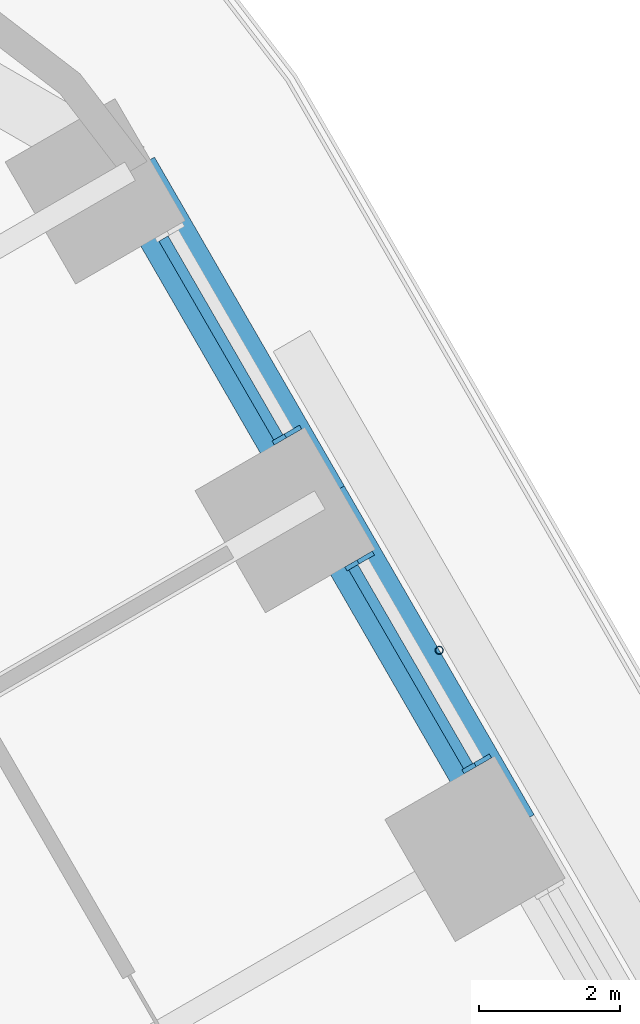
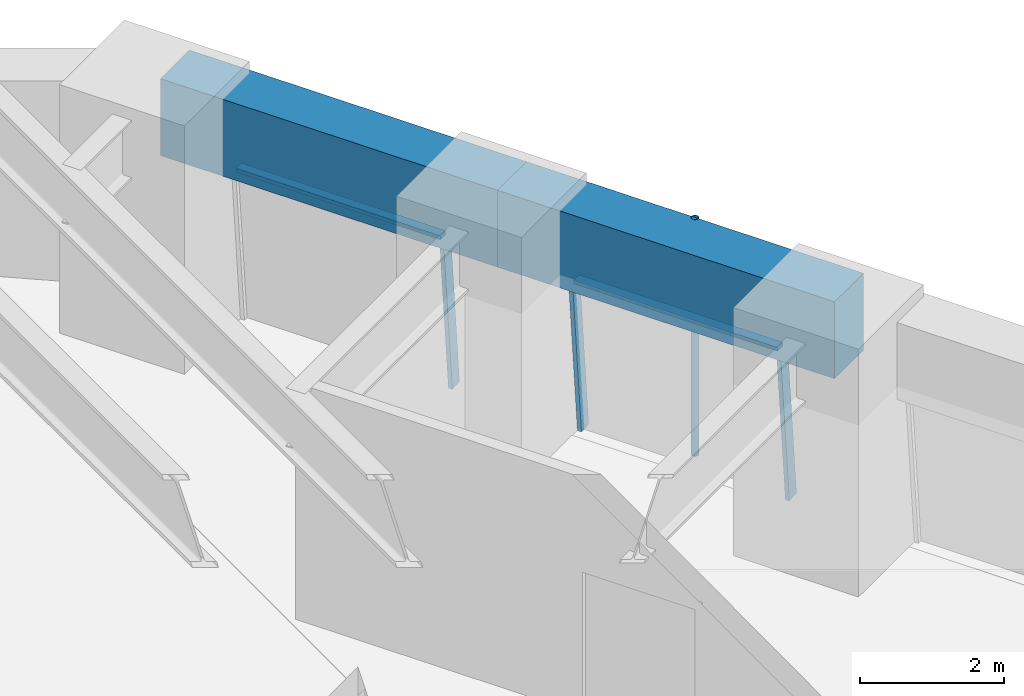
# One storey, part 11 of 23: 6 members, 2 beams, 2 elements without a shape of their own.
"""IFC4 building model written with IfcOpenShell, lengths in metres."""

from ifc_helpers import new_model, si_unit, direction, frame, origin, origin_2d, place, context, subcontext, project, spatial, rectangle, hollow_circle, extrude, material, material_profile, profile_set, type_object, element, aggregate, save


model = new_model("IFC4")

# Units and contexts
model_context = context("Model", 3, precision=1e-05, world=origin(), true_north=direction((0.0, 1.0)))
body_context = subcontext(model_context, "Body", "Model", "MODEL_VIEW")
ifc_project = project(units=[si_unit("LENGTHUNIT", "METRE"), si_unit("AREAUNIT", "SQUARE_METRE"), si_unit("VOLUMEUNIT", "CUBIC_METRE"), si_unit("PLANEANGLEUNIT", "RADIAN"), si_unit("MASSUNIT", "GRAM", prefix="KILO")], contexts=[model_context])

# Site, building, storey
site_placement = place(None, origin())
site = spatial("IfcSite", under=ifc_project, at=site_placement, CompositionType="ELEMENT")
building_placement = place(site_placement, origin())
building = spatial("IfcBuilding", under=site, at=building_placement, Name="Tarfa Lantern Tower", CompositionType="ELEMENT")
storey_placement = place(building_placement, frame((0.0, 0.0, 52.89990234375)))
storey = spatial("IfcBuildingStorey", under=building, at=storey_placement, Name="L11", CompositionType="ELEMENT", Elevation=52.89990234375)

# Curtain wall, members
ifc_material_1 = material(Name="Aluminium framed curtain wall", Category="aluminium")
curtain_wall_type = type_object("IfcCurtainWallType", Name="CW1 CANTED GLAZING LOW ZONE 2700", PredefinedType="USERDEFINED", material=ifc_material_1)
curtain_wall_1_placement = place(storey_placement, origin())
curtain_wall_1 = element("IfcCurtainWall", 1, at=curtain_wall_1_placement, inside=storey, type_object=curtain_wall_type, Name="CW1 NE L11", ObjectType="CURTAIN WALL", PredefinedType="USERDEFINED")
ifc_material_2 = material(Name="Aluminium mullion", Category="aluminium")
ifc_material_profile_1 = material_profile(ifc_material_2, rectangle(XDim=0.06494140625, YDim=0.199951171875, at=origin_2d()), Name="AL MULLION 65x200")
ifc_profile_set_1 = profile_set([ifc_material_profile_1], Name="Aluminium mullion")
member_type_1 = type_object("IfcMemberType", Name="CWM1 MULLION 65x200", PredefinedType="MULLION", material=ifc_profile_set_1)
member_1_placement = place(storey_placement, frame((26.147705078125, 22.5107421875, 0.0), z_axis=(-0.079857261722, -0.046095736191, 0.995739926314), x_axis=(0.499919672301, -0.866071776036, 0.0)))
member_1 = element("IfcMember", 2, at=member_1_placement, type_object=member_type_1, Name="CW1 mullion 1", PredefinedType="MULLION", context=body_context, shape_type="SweptSolid", body=[
    extrude(rectangle(XDim=0.06494140625, YDim=0.199951171875, at=origin_2d()), origin(), (0.0, 0.0, 1.0), 2.711669921875),
])
member_2_placement = place(storey_placement, frame((24.48583984375, 25.38916015625, 0.0), z_axis=(-0.079857261722, -0.046095736191, 0.995739926314), x_axis=(0.499919672301, -0.866071776036, 0.0)))
member_2 = element("IfcMember", 3, at=member_2_placement, type_object=member_type_1, Name="CW1 mullion 2", PredefinedType="MULLION", context=body_context, shape_type="SweptSolid", body=[
    extrude(rectangle(XDim=0.06494140625, YDim=0.199951171875, at=origin_2d()), origin(), (0.0, 0.0, 1.0), 2.711669921875),
])

# Curtain wall, member
curtain_wall_2_placement = place(storey_placement, origin())
curtain_wall_2 = element("IfcCurtainWall", 4, at=curtain_wall_2_placement, inside=storey, type_object=curtain_wall_type, Name="CW1 NE L11", ObjectType="CURTAIN WALL", PredefinedType="USERDEFINED")
member_3_placement = place(storey_placement, frame((23.453369140625, 27.177490234375, 0.0), z_axis=(-0.079857261722, -0.046095736191, 0.995739926314), x_axis=(0.499919672301, -0.866071776036, 0.0)))
member_3 = element("IfcMember", 5, at=member_3_placement, type_object=member_type_1, Name="CW1 mullion 1", PredefinedType="MULLION", context=body_context, shape_type="SweptSolid", body=[
    extrude(rectangle(XDim=0.06494140625, YDim=0.199951171875, at=origin_2d()), origin(), (0.0, 0.0, 1.0), 2.711669921875),
])

# Member
ifc_material_3 = material(Name="Aluminium transom", Category="aluminium")
ifc_material_profile_2 = material_profile(ifc_material_3, rectangle(XDim=0.14990234375, YDim=0.06494140625, at=origin_2d()), Name="AL TRANSOM 150x65")
ifc_profile_set_2 = profile_set([ifc_material_profile_2], Name="Aluminium transom")
member_type_2 = type_object("IfcMemberType", Name="CWT1 TRANSOM 150x65", PredefinedType="USERDEFINED", material=ifc_profile_set_2)
member_4_placement = place(storey_placement, frame((25.91748046875, 22.41552734375, 2.66748046875), z_axis=(-0.499966746847, 0.86604460165, 0.0), x_axis=(-0.86604460165, -0.499966746847, 0.0)))
member_4 = element("IfcMember", 6, at=member_4_placement, type_object=member_type_2, Name="CW1 transom 1.2", ObjectType="TRANSOM", PredefinedType="USERDEFINED", context=body_context, shape_type="SweptSolid", body=[
    extrude(rectangle(XDim=0.14990234375, YDim=0.06494140625, at=origin_2d()), origin(), (0.0, 0.0, 1.0), 3.258544921875),
])

aggregate(curtain_wall_1, [member_1, member_2, member_4])

member_5_placement = place(storey_placement, frame((23.22314453125, 27.082275390625, 2.66748046875), z_axis=(-0.499966746847, 0.86604460165, 0.0), x_axis=(-0.86604460165, -0.499966746847, 0.0)))
member_5 = element("IfcMember", 7, at=member_5_placement, type_object=member_type_2, Name="CW1 transom 1.2", ObjectType="TRANSOM", PredefinedType="USERDEFINED", context=body_context, shape_type="SweptSolid", body=[
    extrude(rectangle(XDim=0.14990234375, YDim=0.06494140625, at=origin_2d()), origin(), (0.0, 0.0, 1.0), 3.258544921875),
])

aggregate(curtain_wall_2, [member_3, member_5])

# Beams
ifc_material_4 = material(Name="Concrete C80/95", Category="concrete")
ifc_material_profile_3 = material_profile(ifc_material_4, rectangle(XDim=0.800048828125, YDim=1.300048828125, at=origin_2d()), Name="RC 800x1300")
ifc_profile_set_3 = profile_set([ifc_material_profile_3], Name="Concrete C80/95")
beam_type = type_object("IfcBeamType", Name="EB1 RC 800x1300", PredefinedType="SPANDREL", material=ifc_profile_set_3)
for number, where, z_axis, x_axis, name in (
    (8, (26.508056640625, 21.526611328125, 3.35009765625), (-0.499998287579, 0.866026392449, 0.0), (-0.866026392449, -0.499998287579, 0.0), "Edge beam NE4"),
    (9, (23.813720703125, 26.193359375, 3.35009765625), (-0.499998287579, 0.866026392449, 0.0), (-0.866026392449, -0.499998287579, 0.0), "Edge beam NE5"),
):
    element("IfcBeam", number, at=place(storey_placement, frame(where, z_axis=z_axis, x_axis=x_axis)), inside=storey, type_object=beam_type, Name=name, PredefinedType="SPANDREL", context=body_context, shape_type="SweptSolid", body=[
        extrude(rectangle(XDim=0.800048828125, YDim=1.300048828125, at=origin_2d()), origin(), (0.0, 0.0, 1.0), 5.388671875),
    ])

# Member
ifc_material_5 = material(Name="Steel S355", Category="steel")
ifc_material_profile_4 = material_profile(ifc_material_5, hollow_circle(Radius=0.05712890625, WallThickness=0.00634765625, at=origin_2d()), Name="CHS114.3x6.3")
ifc_profile_set_4 = profile_set([ifc_material_profile_4], Name="Steel S355")
member_type_3 = type_object("IfcMemberType", Name="TR1 GREEN WALL TRELLIS CHS114.3x6.3", PredefinedType="USERDEFINED", material=ifc_profile_set_4)
member_6_placement = place(storey_placement, frame((25.50732421875, 24.06005859375, 0.0), z_axis=(0.0, 0.0, 1.0), x_axis=(1.0, 0.0, 0.0)))
element("IfcMember", 10, at=member_6_placement, inside=storey, type_object=member_type_3, Name="Trellis post NE 2", ObjectType="TRELLIS", PredefinedType="USERDEFINED", context=body_context, shape_type="SweptSolid", body=[
    extrude(hollow_circle(Radius=0.05712890625, WallThickness=0.00634765625, at=origin_2d()), origin(), (0.0, 0.0, 1.0), 4.0),
])

save(model, "model.ifc")
